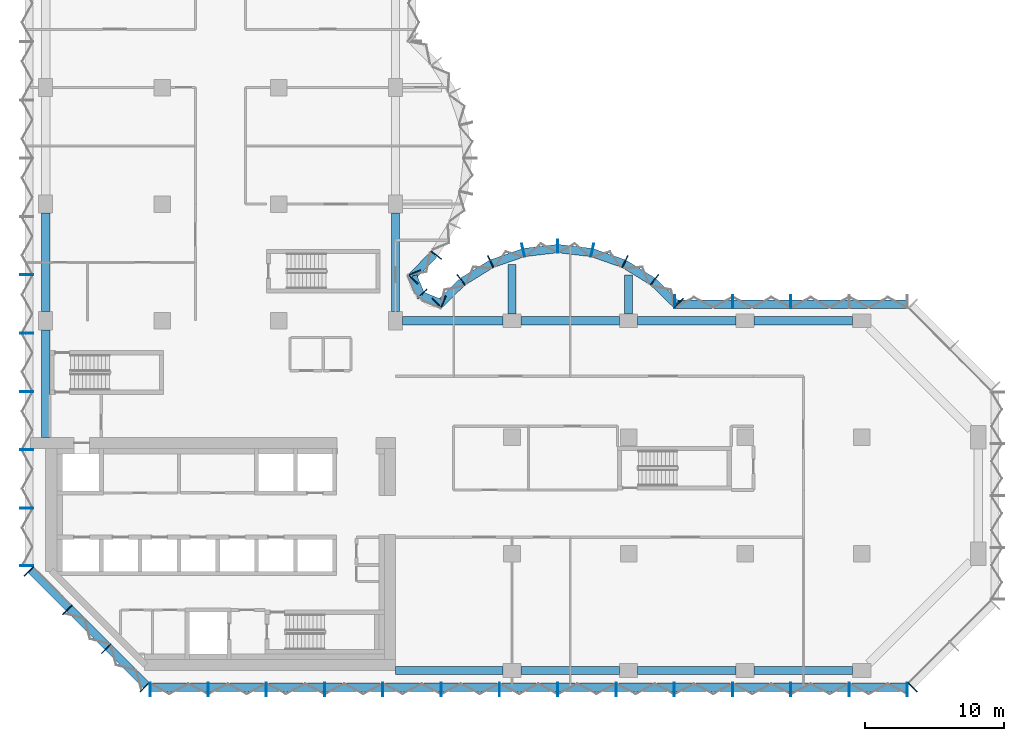
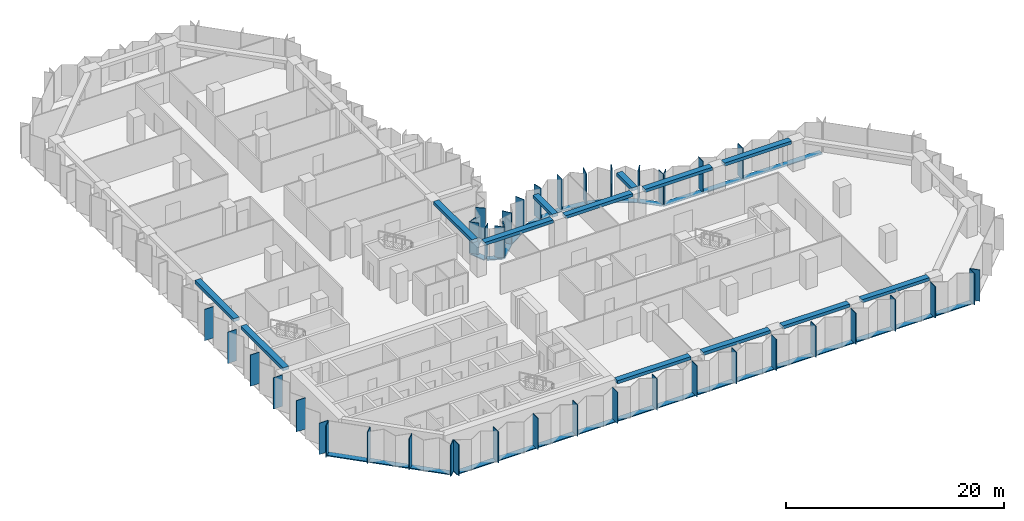
# One storey, part 2 of 13: 56 members, 13 beams, 8 elements without a shape of their own.
"""IFC4 building model written with IfcOpenShell, lengths in metres."""

import ifcopenshell
import ifcopenshell.guid

model = None  # the IFC model being written
_history = None  # IfcOwnerHistory: only IFC2X3 demands one
_inside = {}  # id of a spatial element -> (the spatial element, [elements in it])
_under = {}  # id of a project, library or spatial element -> (it, [spatial elements below it])
_declared = {}  # id of a project -> (the project, [libraries it declares])
_typed = {}  # id of a type object -> (the type object, [elements of that type])
_made_of = {}  # id of a material, layer set ... -> (it, [elements and type objects made of it])


def new_model(schema):
    """Start an empty IFC model of exactly this schema.

    Asked for "IFC4X3", IfcOpenShell would pick the latest addendum, in which some entities
    have other attributes; the version numbers below select the first issue.
    IFC2X3 requires an IfcOwnerHistory on every rooted entity: one is made here for all.
    """
    global model, _history
    if schema == "IFC4X3":
        model = ifcopenshell.file(schema_version=(4, 3, 0, 0))
    else:
        model = ifcopenshell.file(schema=schema)
    _inside.clear()
    _under.clear()
    _declared.clear()
    _typed.clear()
    _made_of.clear()
    _history = None
    if model.schema == "IFC2X3":
        org = make("IfcOrganization", Name="unknown")
        user = make(
            "IfcPersonAndOrganization",
            ThePerson=make("IfcPerson", FamilyName="unknown"),
            TheOrganization=org,
        )
        app = make(
            "IfcApplication",
            ApplicationDeveloper=org,
            Version="unknown",
            ApplicationFullName="unknown",
            ApplicationIdentifier="unknown",
        )
        _history = make(
            "IfcOwnerHistory",
            OwningUser=user,
            OwningApplication=app,
            ChangeAction="ADDED",
            CreationDate=0,
        )
    return model


def make(cls, **values):
    """One entity of the class cls with the attributes given. An attribute that is None is left unset."""
    return model.create_entity(
        cls, **{name: value for name, value in values.items() if value is not None}
    )


def rooted(cls, **values):
    """An entity with a GlobalId (a new one), such as an element, a storey or a relation."""
    return make(cls, GlobalId=ifcopenshell.guid.new(), OwnerHistory=_history, **values)


def si_unit(unit_type, name, prefix=None):
    """IfcSIUnit, for example si_unit("LENGTHUNIT", "METRE", prefix="MILLI")."""
    return make("IfcSIUnit", UnitType=unit_type, Prefix=prefix, Name=name)


def assignment(units):
    """IfcUnitAssignment: the units of a project."""
    return None if units is None else make("IfcUnitAssignment", Units=units)


def point(xyz):
    """IfcCartesianPoint."""
    return None if xyz is None else make("IfcCartesianPoint", Coordinates=xyz)


def direction(xyz):
    """IfcDirection."""
    return None if xyz is None else make("IfcDirection", DirectionRatios=xyz)


def frame(location, z_axis=None, x_axis=None):
    """IfcAxis2Placement3D, a coordinate frame: its origin and axes. An axis left out is left unset."""
    return make(
        "IfcAxis2Placement3D",
        Location=point(location),
        Axis=direction(z_axis),
        RefDirection=direction(x_axis),
    )


def frame_2d(location, x_axis=None):
    """IfcAxis2Placement2D, a coordinate frame in the plane: its origin and x axis."""
    return make(
        "IfcAxis2Placement2D", Location=point(location), RefDirection=direction(x_axis)
    )


def origin():
    """The frame at (0, 0, 0) with its axes left unset."""
    return frame((0.0, 0.0, 0.0))


def origin_2d():
    """The frame at (0, 0) in the plane with its x axis left unset."""
    return frame_2d((0.0, 0.0))


def place(relative_to, where):
    """IfcLocalPlacement: puts the frame where relative to a parent placement (None: the world)."""
    return make(
        "IfcLocalPlacement", PlacementRelTo=relative_to, RelativePlacement=where
    )


def context(
    kind, dimensions, precision=None, world=None, true_north=None, identifier=None
):
    """IfcGeometricRepresentationContext, for example the 3D "Model" context."""
    return make(
        "IfcGeometricRepresentationContext",
        ContextIdentifier=identifier,
        ContextType=kind,
        CoordinateSpaceDimension=dimensions,
        Precision=precision,
        WorldCoordinateSystem=world,
        TrueNorth=true_north,
    )


def subcontext(parent, identifier, kind, view, scale=None):
    """IfcGeometricRepresentationSubContext, for example "Body" below "Model"."""
    return make(
        "IfcGeometricRepresentationSubContext",
        ContextIdentifier=identifier,
        ContextType=kind,
        ParentContext=parent,
        TargetScale=scale,
        TargetView=view,
    )


def project(units=None, contexts=None):
    """IfcProject with its units and contexts."""
    return rooted(
        "IfcProject",
        Name="project",
        RepresentationContexts=contexts,
        UnitsInContext=assignment(units),
    )


def spatial(cls, under=None, at=None, **own):
    """A site, building, storey or space (cls), placed at a placement, below another one or the project."""
    s = rooted(cls, ObjectPlacement=at, **own)
    if under is not None:
        _under.setdefault(under.id(), (under, []))[1].append(s)
    return s


def profile(cls, at=None, kind="AREA", **sizes):
    """A parametric profile (cls). Its sizes go by their IFC names, for example OverallWidth=200.0."""
    return make(cls, ProfileType=kind, Position=at, **sizes)


def rectangle(**sizes):
    """IfcRectangleProfileDef."""
    return profile("IfcRectangleProfileDef", **sizes)


def extrude(swept, where, along, depth):
    """IfcExtrudedAreaSolid: the profile swept, set in the frame where, extruded along a direction by depth."""
    return make(
        "IfcExtrudedAreaSolid",
        SweptArea=swept,
        Position=where,
        ExtrudedDirection=direction(along),
        Depth=depth,
    )


def shape(context_of_items, identifier, shape_type, items):
    """IfcShapeRepresentation: the items that make up one representation, for example the "Body"."""
    return make(
        "IfcShapeRepresentation",
        ContextOfItems=context_of_items,
        RepresentationIdentifier=identifier,
        RepresentationType=shape_type,
        Items=items,
    )


def material(Name=None, Category=None):
    """IfcMaterial."""
    return make("IfcMaterial", Name=Name, Category=Category)


def material_profile(
    of_material, cross_section, Name=None, Category=None, Priority=None
):
    """IfcMaterialProfile: a cross section and its material."""
    return make(
        "IfcMaterialProfile",
        Name=Name,
        Material=of_material,
        Profile=cross_section,
        Priority=Priority,
        Category=Category,
    )


def profile_set(profiles, Name=None, composite=None):
    """IfcMaterialProfileSet."""
    return make(
        "IfcMaterialProfileSet",
        Name=Name,
        MaterialProfiles=profiles,
        CompositeProfile=composite,
    )


def made_of(thing, what):
    """Note that an element or type object is made of a material, layer set ...; save() writes the relation."""
    if what is not None:
        _made_of.setdefault(what.id(), (what, []))[1].append(thing)
    return thing


def type_object(cls, material=None, **own):
    """A type object (cls), such as IfcWallType, which elements share."""
    return made_of(rooted(cls, **own), material)


def element(
    cls,
    number,
    at=None,
    inside=None,
    cuts=None,
    type_object=None,
    material=None,
    context=None,
    identifier="Body",
    shape_type=None,
    held_by="IfcProductDefinitionShape",
    body=None,
    shapes=None,
    **own,
):
    """One element of the class cls, such as IfcWall. Its Tag is "e" and its number.

    at: its placement. inside: the storey or other place that contains it. cuts: it is an
    opening in that element (IfcRelVoidsElement). A single representation is given by context,
    identifier, shape_type and body (its items); several are given by shapes. held_by: the class
    of the entity that holds the representations. save() writes the other relations.
    """
    e = rooted(cls, Tag="e%d" % number, ObjectPlacement=at, **own)
    if body is not None:
        shapes = [shape(context, identifier, shape_type, body)]
    if shapes is not None:
        e.Representation = make(held_by, Representations=shapes)
    if inside is not None:
        _inside.setdefault(inside.id(), (inside, []))[1].append(e)
    if cuts is not None:
        rooted(
            "IfcRelVoidsElement", RelatingBuildingElement=cuts, RelatedOpeningElement=e
        )
    if type_object is not None:
        _typed.setdefault(type_object.id(), (type_object, []))[1].append(e)
    return made_of(e, material)


def aggregate(whole, parts):
    """IfcRelAggregates: a whole, such as a stair, and the parts it consists of."""
    return rooted("IfcRelAggregates", RelatingObject=whole, RelatedObjects=parts)


def save(model, path):
    """Write the relations noted so far, then the file.

    IfcRelAggregates (storeys below a building ...), IfcRelContainedInSpatialStructure (elements
    in a storey), IfcRelDefinesByType, IfcRelAssociatesMaterial and IfcRelDeclares: one each for
    every whole, place, type object, material and project.
    """
    for whole, parts in _under.values():
        aggregate(whole, parts)
    for where, things in _inside.values():
        rooted(
            "IfcRelContainedInSpatialStructure",
            RelatedElements=things,
            RelatingStructure=where,
        )
    for kind, things in _typed.values():
        rooted("IfcRelDefinesByType", RelatedObjects=things, RelatingType=kind)
    for what, things in _made_of.values():
        rooted("IfcRelAssociatesMaterial", RelatedObjects=things, RelatingMaterial=what)
    for by, libraries in _declared.values():
        rooted("IfcRelDeclares", RelatingContext=by, RelatedDefinitions=libraries)
    model.write(path)


model = new_model("IFC4")

# Units and contexts
model_context = context("Model", 3, precision=1e-05, world=origin(), true_north=direction((0.0, 1.0)))
body_context = subcontext(model_context, "Body", "Model", "MODEL_VIEW")
ifc_project = project(units=[si_unit("LENGTHUNIT", "METRE"), si_unit("AREAUNIT", "SQUARE_METRE"), si_unit("VOLUMEUNIT", "CUBIC_METRE"), si_unit("PLANEANGLEUNIT", "RADIAN"), si_unit("MASSUNIT", "GRAM", prefix="KILO")], contexts=[model_context])

# Site, building, storey
site_placement = place(None, origin())
site = spatial("IfcSite", under=ifc_project, at=site_placement, CompositionType="ELEMENT")
building_placement = place(site_placement, origin())
building = spatial("IfcBuilding", under=site, at=building_placement, Name="Brevane Broadcast Tower", CompositionType="ELEMENT")
storey_placement = place(building_placement, frame((0.0, 0.0, 98.89990234375)))
storey = spatial("IfcBuildingStorey", under=building, at=storey_placement, Name="L23", CompositionType="ELEMENT", Elevation=98.89990234375)

# Curtain wall, members
ifc_material_1 = material(Name="Aluminium 6063-T6 bronze anodised", Category="aluminium")
curtain_wall_type = type_object("IfcCurtainWallType", Name="CW-1 curtain wall", PredefinedType="NOTDEFINED", material=ifc_material_1)
curtain_wall_1_placement = place(storey_placement, origin())
curtain_wall_1 = element("IfcCurtainWall", 1, at=curtain_wall_1_placement, inside=storey, type_object=curtain_wall_type, Name="CW-1 typical tilted unit L23 south face", PredefinedType="NOTDEFINED")
ifc_material_profile_1 = material_profile(ifc_material_1, rectangle(XDim=0.949951171875, YDim=0.070068359375, at=origin_2d()), Name="RECT 70x950")
ifc_profile_set_1 = profile_set([ifc_material_profile_1], Name="Aluminium 6063-T6 bronze anodised")
member_type_1 = type_object("IfcMemberType", Name="CW-1 mullion 70x950", PredefinedType="MULLION", material=ifc_profile_set_1)
member_1_placement = place(storey_placement, frame((7.534912109375, -1.375, -0.14990234375), z_axis=(0.0, 0.0, 1.0), x_axis=(0.0, 1.0, 0.0)))
member_1 = element("IfcMember", 2, at=member_1_placement, type_object=member_type_1, Name="CW-1 mullion", PredefinedType="MULLION", context=body_context, shape_type="SweptSolid", body=[
    extrude(rectangle(XDim=0.949951171875, YDim=0.070068359375, at=origin_2d()), origin(), (0.0, 0.0, 1.0), 3.5),
])
member_2_placement = place(storey_placement, frame((11.699951171875, -1.375, -0.14990234375), z_axis=(0.0, 0.0, 1.0), x_axis=(0.0, 1.0, 0.0)))
member_2 = element("IfcMember", 3, at=member_2_placement, type_object=member_type_1, Name="CW-1 mullion", PredefinedType="MULLION", context=body_context, shape_type="SweptSolid", body=[
    extrude(rectangle(XDim=0.949951171875, YDim=0.070068359375, at=origin_2d()), origin(), (0.0, 0.0, 1.0), 3.5),
])
member_3_placement = place(storey_placement, frame((15.89990234375, -1.375, -0.14990234375), z_axis=(0.0, 0.0, 1.0), x_axis=(0.0, 1.0, 0.0)))
member_3 = element("IfcMember", 4, at=member_3_placement, type_object=member_type_1, Name="CW-1 mullion", PredefinedType="MULLION", context=body_context, shape_type="SweptSolid", body=[
    extrude(rectangle(XDim=0.949951171875, YDim=0.070068359375, at=origin_2d()), origin(), (0.0, 0.0, 1.0), 3.5),
])
member_4_placement = place(storey_placement, frame((20.10009765625, -1.375, -0.14990234375), z_axis=(0.0, 0.0, 1.0), x_axis=(0.0, 1.0, 0.0)))
member_4 = element("IfcMember", 5, at=member_4_placement, type_object=member_type_1, Name="CW-1 mullion", PredefinedType="MULLION", context=body_context, shape_type="SweptSolid", body=[
    extrude(rectangle(XDim=0.949951171875, YDim=0.070068359375, at=origin_2d()), origin(), (0.0, 0.0, 1.0), 3.5),
])
member_5_placement = place(storey_placement, frame((24.300048828125, -1.375, -0.14990234375), z_axis=(0.0, 0.0, 1.0), x_axis=(0.0, 1.0, 0.0)))
member_5 = element("IfcMember", 6, at=member_5_placement, type_object=member_type_1, Name="CW-1 mullion", PredefinedType="MULLION", context=body_context, shape_type="SweptSolid", body=[
    extrude(rectangle(XDim=0.949951171875, YDim=0.070068359375, at=origin_2d()), origin(), (0.0, 0.0, 1.0), 3.5),
])
member_6_placement = place(storey_placement, frame((28.5, -1.375, -0.14990234375), z_axis=(0.0, 0.0, 1.0), x_axis=(0.0, 1.0, 0.0)))
member_6 = element("IfcMember", 7, at=member_6_placement, type_object=member_type_1, Name="CW-1 mullion", PredefinedType="MULLION", context=body_context, shape_type="SweptSolid", body=[
    extrude(rectangle(XDim=0.949951171875, YDim=0.070068359375, at=origin_2d()), origin(), (0.0, 0.0, 1.0), 3.5),
])
member_7_placement = place(storey_placement, frame((32.699951171875, -1.375, -0.14990234375), z_axis=(0.0, 0.0, 1.0), x_axis=(0.0, 1.0, 0.0)))
member_7 = element("IfcMember", 8, at=member_7_placement, type_object=member_type_1, Name="CW-1 mullion", PredefinedType="MULLION", context=body_context, shape_type="SweptSolid", body=[
    extrude(rectangle(XDim=0.949951171875, YDim=0.070068359375, at=origin_2d()), origin(), (0.0, 0.0, 1.0), 3.5),
])
member_8_placement = place(storey_placement, frame((36.89990234375, -1.375, -0.14990234375), z_axis=(0.0, 0.0, 1.0), x_axis=(0.0, 1.0, 0.0)))
member_8 = element("IfcMember", 9, at=member_8_placement, type_object=member_type_1, Name="CW-1 mullion", PredefinedType="MULLION", context=body_context, shape_type="SweptSolid", body=[
    extrude(rectangle(XDim=0.949951171875, YDim=0.070068359375, at=origin_2d()), origin(), (0.0, 0.0, 1.0), 3.5),
])
member_9_placement = place(storey_placement, frame((41.10009765625, -1.375, -0.14990234375), z_axis=(0.0, 0.0, 1.0), x_axis=(0.0, 1.0, 0.0)))
member_9 = element("IfcMember", 10, at=member_9_placement, type_object=member_type_1, Name="CW-1 mullion", PredefinedType="MULLION", context=body_context, shape_type="SweptSolid", body=[
    extrude(rectangle(XDim=0.949951171875, YDim=0.070068359375, at=origin_2d()), origin(), (0.0, 0.0, 1.0), 3.5),
])
member_10_placement = place(storey_placement, frame((45.300048828125, -1.375, -0.14990234375), z_axis=(0.0, 0.0, 1.0), x_axis=(0.0, 1.0, 0.0)))
member_10 = element("IfcMember", 11, at=member_10_placement, type_object=member_type_1, Name="CW-1 mullion", PredefinedType="MULLION", context=body_context, shape_type="SweptSolid", body=[
    extrude(rectangle(XDim=0.949951171875, YDim=0.070068359375, at=origin_2d()), origin(), (0.0, 0.0, 1.0), 3.5),
])
member_11_placement = place(storey_placement, frame((49.5, -1.375, -0.14990234375), z_axis=(0.0, 0.0, 1.0), x_axis=(0.0, 1.0, 0.0)))
member_11 = element("IfcMember", 12, at=member_11_placement, type_object=member_type_1, Name="CW-1 mullion", PredefinedType="MULLION", context=body_context, shape_type="SweptSolid", body=[
    extrude(rectangle(XDim=0.949951171875, YDim=0.070068359375, at=origin_2d()), origin(), (0.0, 0.0, 1.0), 3.5),
])
member_12_placement = place(storey_placement, frame((53.699951171875, -1.375, -0.14990234375), z_axis=(0.0, 0.0, 1.0), x_axis=(0.0, 1.0, 0.0)))
member_12 = element("IfcMember", 13, at=member_12_placement, type_object=member_type_1, Name="CW-1 mullion", PredefinedType="MULLION", context=body_context, shape_type="SweptSolid", body=[
    extrude(rectangle(XDim=0.949951171875, YDim=0.070068359375, at=origin_2d()), origin(), (0.0, 0.0, 1.0), 3.5),
])
member_13_placement = place(storey_placement, frame((57.89990234375, -1.375, -0.14990234375), z_axis=(0.0, 0.0, 1.0), x_axis=(0.0, 1.0, 0.0)))
member_13 = element("IfcMember", 14, at=member_13_placement, type_object=member_type_1, Name="CW-1 mullion", PredefinedType="MULLION", context=body_context, shape_type="SweptSolid", body=[
    extrude(rectangle(XDim=0.949951171875, YDim=0.070068359375, at=origin_2d()), origin(), (0.0, 0.0, 1.0), 3.5),
])
member_14_placement = place(storey_placement, frame((62.06494140625, -1.375, -0.14990234375), z_axis=(0.0, 0.0, 1.0), x_axis=(0.0, 1.0, 0.0)))
member_14 = element("IfcMember", 15, at=member_14_placement, type_object=member_type_1, Name="CW-1 mullion", PredefinedType="MULLION", context=body_context, shape_type="SweptSolid", body=[
    extrude(rectangle(XDim=0.949951171875, YDim=0.070068359375, at=origin_2d()), origin(), (0.0, 0.0, 1.0), 3.5),
])

# Curtain wall, member
curtain_wall_2_placement = place(storey_placement, origin())
curtain_wall_2 = element("IfcCurtainWall", 16, at=curtain_wall_2_placement, inside=storey, type_object=curtain_wall_type, Name="CW-1 typical tilted unit L23 south-east chamfer", PredefinedType="NOTDEFINED")
member_15_placement = place(storey_placement, frame((62.460693359375, -1.211181640625, -0.14990234375), z_axis=(0.0, 0.0, 1.0), x_axis=(-0.707106781187, 0.707106781187, 0.0)))
member_15 = element("IfcMember", 17, at=member_15_placement, type_object=member_type_1, Name="CW-1 mullion", PredefinedType="MULLION", context=body_context, shape_type="SweptSolid", body=[
    extrude(rectangle(XDim=0.949951171875, YDim=0.070068359375, at=origin_2d()), origin(), (0.0, 0.0, 1.0), 3.5),
])
aggregate(curtain_wall_2, [member_15])

# Curtain wall, members
curtain_wall_3_placement = place(storey_placement, origin())
curtain_wall_3 = element("IfcCurtainWall", 18, at=curtain_wall_3_placement, inside=storey, type_object=curtain_wall_type, Name="CW-1 typical tilted unit L23 east arm north face", PredefinedType="NOTDEFINED")
member_16_placement = place(storey_placement, frame((53.699951171875, 26.574951171875, -0.14990234375), z_axis=(0.0, 0.0, 1.0), x_axis=(0.0, -1.0, 0.0)))
member_16 = element("IfcMember", 19, at=member_16_placement, type_object=member_type_1, Name="CW-1 mullion", PredefinedType="MULLION", context=body_context, shape_type="SweptSolid", body=[
    extrude(rectangle(XDim=0.949951171875, YDim=0.070068359375, at=origin_2d()), origin(), (0.0, 0.0, 1.0), 3.5),
])
member_17_placement = place(storey_placement, frame((49.5, 26.574951171875, -0.14990234375), z_axis=(0.0, 0.0, 1.0), x_axis=(0.0, -1.0, 0.0)))
member_17 = element("IfcMember", 20, at=member_17_placement, type_object=member_type_1, Name="CW-1 mullion", PredefinedType="MULLION", context=body_context, shape_type="SweptSolid", body=[
    extrude(rectangle(XDim=0.949951171875, YDim=0.070068359375, at=origin_2d()), origin(), (0.0, 0.0, 1.0), 3.5),
])
member_18_placement = place(storey_placement, frame((45.3349609375, 26.574951171875, -0.14990234375), z_axis=(0.0, 0.0, 1.0), x_axis=(0.0, -1.0, 0.0)))
member_18 = element("IfcMember", 21, at=member_18_placement, type_object=member_type_1, Name="CW-1 mullion", PredefinedType="MULLION", context=body_context, shape_type="SweptSolid", body=[
    extrude(rectangle(XDim=0.949951171875, YDim=0.070068359375, at=origin_2d()), origin(), (0.0, 0.0, 1.0), 3.5),
])

curtain_wall_4_placement = place(storey_placement, origin())
curtain_wall_4 = element("IfcCurtainWall", 22, at=curtain_wall_4_placement, inside=storey, type_object=curtain_wall_type, Name="CW-1 typical tilted unit L23 east bow", PredefinedType="NOTDEFINED")
member_19_placement = place(storey_placement, frame((45.60595703125, 26.465087890625, -0.14990234375), z_axis=(0.0, 0.0, 1.0), x_axis=(-0.696811941702, -0.717253872699, 0.0)))
member_19 = element("IfcMember", 23, at=member_19_placement, type_object=member_type_1, Name="CW-1 mullion", PredefinedType="MULLION", context=body_context, shape_type="SweptSolid", body=[
    extrude(rectangle(XDim=0.949951171875, YDim=0.070068359375, at=origin_2d()), origin(), (0.0, 0.0, 1.0), 3.5),
])
member_20_placement = place(storey_placement, frame((43.8720703125, 28.1455078125, -0.14990234375), z_axis=(0.0, 0.0, 1.0), x_axis=(-0.614769738617, -0.788706642853, 0.0)))
member_20 = element("IfcMember", 24, at=member_20_placement, type_object=member_type_1, Name="CW-1 mullion", PredefinedType="MULLION", context=body_context, shape_type="SweptSolid", body=[
    extrude(rectangle(XDim=0.949951171875, YDim=0.070068359375, at=origin_2d()), origin(), (0.0, 0.0, 1.0), 3.5),
])
member_21_placement = place(storey_placement, frame((41.746826171875, 29.4580078125, -0.14990234375), z_axis=(0.0, 0.0, 1.0), x_axis=(-0.429933601163, -0.902860508933, 0.0)))
member_21 = element("IfcMember", 25, at=member_21_placement, type_object=member_type_1, Name="CW-1 mullion", PredefinedType="MULLION", context=body_context, shape_type="SweptSolid", body=[
    extrude(rectangle(XDim=0.949951171875, YDim=0.070068359375, at=origin_2d()), origin(), (0.0, 0.0, 1.0), 3.5),
])
member_22_placement = place(storey_placement, frame((39.38818359375, 30.28076171875, -0.14990234375), z_axis=(0.0, 0.0, 1.0), x_axis=(-0.224806482215, -0.974403430594, 0.0)))
member_22 = element("IfcMember", 26, at=member_22_placement, type_object=member_type_1, Name="CW-1 mullion", PredefinedType="MULLION", context=body_context, shape_type="SweptSolid", body=[
    extrude(rectangle(XDim=0.949951171875, YDim=0.070068359375, at=origin_2d()), origin(), (0.0, 0.0, 1.0), 3.5),
])
member_23_placement = place(storey_placement, frame((36.89990234375, 30.574951171875, -0.14990234375), z_axis=(0.0, 0.0, 1.0), x_axis=(0.0, -1.0, 0.0)))
member_23 = element("IfcMember", 27, at=member_23_placement, type_object=member_type_1, Name="CW-1 mullion", PredefinedType="MULLION", context=body_context, shape_type="SweptSolid", body=[
    extrude(rectangle(XDim=0.949951171875, YDim=0.070068359375, at=origin_2d()), origin(), (0.0, 0.0, 1.0), 3.5),
])
member_24_placement = place(storey_placement, frame((34.411865234375, 30.28076171875, -0.14990234375), z_axis=(0.0, 0.0, 1.0), x_axis=(0.224806482215, -0.974403430594, 0.0)))
member_24 = element("IfcMember", 28, at=member_24_placement, type_object=member_type_1, Name="CW-1 mullion", PredefinedType="MULLION", context=body_context, shape_type="SweptSolid", body=[
    extrude(rectangle(XDim=0.949951171875, YDim=0.070068359375, at=origin_2d()), origin(), (0.0, 0.0, 1.0), 3.5),
])
member_25_placement = place(storey_placement, frame((32.05322265625, 29.4580078125, -0.14990234375), z_axis=(0.0, 0.0, 1.0), x_axis=(0.429933601163, -0.902860508933, 0.0)))
member_25 = element("IfcMember", 29, at=member_25_placement, type_object=member_type_1, Name="CW-1 mullion", PredefinedType="MULLION", context=body_context, shape_type="SweptSolid", body=[
    extrude(rectangle(XDim=0.949951171875, YDim=0.070068359375, at=origin_2d()), origin(), (0.0, 0.0, 1.0), 3.5),
])
member_26_placement = place(storey_placement, frame((29.927978515625, 28.1455078125, -0.14990234375), z_axis=(0.0, 0.0, 1.0), x_axis=(0.614769738617, -0.788706642853, 0.0)))
member_26 = element("IfcMember", 30, at=member_26_placement, type_object=member_type_1, Name="CW-1 mullion", PredefinedType="MULLION", context=body_context, shape_type="SweptSolid", body=[
    extrude(rectangle(XDim=0.949951171875, YDim=0.070068359375, at=origin_2d()), origin(), (0.0, 0.0, 1.0), 3.5),
])
member_27_placement = place(storey_placement, frame((28.194091796875, 26.465087890625, -0.14990234375), z_axis=(0.0, 0.0, 1.0), x_axis=(0.696811941702, -0.717253872699, 0.0)))
member_27 = element("IfcMember", 31, at=member_27_placement, type_object=member_type_1, Name="CW-1 mullion", PredefinedType="MULLION", context=body_context, shape_type="SweptSolid", body=[
    extrude(rectangle(XDim=0.949951171875, YDim=0.070068359375, at=origin_2d()), origin(), (0.0, 0.0, 1.0), 3.5),
])

curtain_wall_5_placement = place(storey_placement, origin())
curtain_wall_5 = element("IfcCurtainWall", 32, at=curtain_wall_5_placement, inside=storey, type_object=curtain_wall_type, Name="CW-1 typical tilted unit L23 inner corner", PredefinedType="NOTDEFINED")
member_28_placement = place(storey_placement, frame((28.6494140625, 26.55224609375, -0.14990234375), z_axis=(0.0, 0.0, 1.0), x_axis=(-0.382683612978, -0.923879457699, 0.0)))
member_28 = element("IfcMember", 33, at=member_28_placement, type_object=member_type_1, Name="CW-1 mullion", PredefinedType="MULLION", context=body_context, shape_type="SweptSolid", body=[
    extrude(rectangle(XDim=0.949951171875, YDim=0.070068359375, at=origin_2d()), origin(), (0.0, 0.0, 1.0), 3.5),
])
member_29_placement = place(storey_placement, frame((27.138916015625, 27.138916015625, -0.14990234375), z_axis=(0.0, 0.0, 1.0), x_axis=(-0.707106781187, -0.707106781187, 0.0)))
member_29 = element("IfcMember", 34, at=member_29_placement, type_object=member_type_1, Name="CW-1 mullion", PredefinedType="MULLION", context=body_context, shape_type="SweptSolid", body=[
    extrude(rectangle(XDim=0.949951171875, YDim=0.070068359375, at=origin_2d()), origin(), (0.0, 0.0, 1.0), 3.5),
])
member_30_placement = place(storey_placement, frame((26.55224609375, 28.6494140625, -0.14990234375), z_axis=(0.0, 0.0, 1.0), x_axis=(-0.923879457699, -0.382683612978, 0.0)))
member_30 = element("IfcMember", 35, at=member_30_placement, type_object=member_type_1, Name="CW-1 mullion", PredefinedType="MULLION", context=body_context, shape_type="SweptSolid", body=[
    extrude(rectangle(XDim=0.949951171875, YDim=0.070068359375, at=origin_2d()), origin(), (0.0, 0.0, 1.0), 3.5),
])

curtain_wall_6_placement = place(storey_placement, origin())
curtain_wall_6 = element("IfcCurtainWall", 36, at=curtain_wall_6_placement, inside=storey, type_object=curtain_wall_type, Name="CW-1 typical tilted unit L23 north bow", PredefinedType="NOTDEFINED")
member_31_placement = place(storey_placement, frame((26.465087890625, 28.194091796875, -0.14990234375), z_axis=(0.0, 0.0, 1.0), x_axis=(-0.717253872699, 0.696811941702, 0.0)))
member_31 = element("IfcMember", 37, at=member_31_placement, type_object=member_type_1, Name="CW-1 mullion", PredefinedType="MULLION", context=body_context, shape_type="SweptSolid", body=[
    extrude(rectangle(XDim=0.949951171875, YDim=0.070068359375, at=origin_2d()), origin(), (0.0, 0.0, 1.0), 3.5),
])
member_32_placement = place(storey_placement, frame((28.1455078125, 29.927978515625, -0.14990234375), z_axis=(0.0, 0.0, 1.0), x_axis=(-0.788706642853, 0.614769738617, 0.0)))
member_32 = element("IfcMember", 38, at=member_32_placement, type_object=member_type_1, Name="CW-1 mullion", PredefinedType="MULLION", context=body_context, shape_type="SweptSolid", body=[
    extrude(rectangle(XDim=0.949951171875, YDim=0.070068359375, at=origin_2d()), origin(), (0.0, 0.0, 1.0), 3.5),
])

curtain_wall_7_placement = place(storey_placement, origin())
curtain_wall_7 = element("IfcCurtainWall", 39, at=curtain_wall_7_placement, inside=storey, type_object=curtain_wall_type, Name="CW-1 typical tilted unit L23 west face", PredefinedType="NOTDEFINED")
member_33_placement = place(storey_placement, frame((-1.375, 28.5, -0.14990234375), z_axis=(0.0, 0.0, 1.0), x_axis=(1.0, 0.0, 0.0)))
member_33 = element("IfcMember", 40, at=member_33_placement, type_object=member_type_1, Name="CW-1 mullion", PredefinedType="MULLION", context=body_context, shape_type="SweptSolid", body=[
    extrude(rectangle(XDim=0.949951171875, YDim=0.070068359375, at=origin_2d()), origin(), (0.0, 0.0, 1.0), 3.5),
])
member_34_placement = place(storey_placement, frame((-1.375, 24.300048828125, -0.14990234375), z_axis=(0.0, 0.0, 1.0), x_axis=(1.0, 0.0, 0.0)))
member_34 = element("IfcMember", 41, at=member_34_placement, type_object=member_type_1, Name="CW-1 mullion", PredefinedType="MULLION", context=body_context, shape_type="SweptSolid", body=[
    extrude(rectangle(XDim=0.949951171875, YDim=0.070068359375, at=origin_2d()), origin(), (0.0, 0.0, 1.0), 3.5),
])
member_35_placement = place(storey_placement, frame((-1.375, 20.10009765625, -0.14990234375), z_axis=(0.0, 0.0, 1.0), x_axis=(1.0, 0.0, 0.0)))
member_35 = element("IfcMember", 42, at=member_35_placement, type_object=member_type_1, Name="CW-1 mullion", PredefinedType="MULLION", context=body_context, shape_type="SweptSolid", body=[
    extrude(rectangle(XDim=0.949951171875, YDim=0.070068359375, at=origin_2d()), origin(), (0.0, 0.0, 1.0), 3.5),
])
member_36_placement = place(storey_placement, frame((-1.375, 15.89990234375, -0.14990234375), z_axis=(0.0, 0.0, 1.0), x_axis=(1.0, 0.0, 0.0)))
member_36 = element("IfcMember", 43, at=member_36_placement, type_object=member_type_1, Name="CW-1 mullion", PredefinedType="MULLION", context=body_context, shape_type="SweptSolid", body=[
    extrude(rectangle(XDim=0.949951171875, YDim=0.070068359375, at=origin_2d()), origin(), (0.0, 0.0, 1.0), 3.5),
])
member_37_placement = place(storey_placement, frame((-1.375, 11.699951171875, -0.14990234375), z_axis=(0.0, 0.0, 1.0), x_axis=(1.0, 0.0, 0.0)))
member_37 = element("IfcMember", 44, at=member_37_placement, type_object=member_type_1, Name="CW-1 mullion", PredefinedType="MULLION", context=body_context, shape_type="SweptSolid", body=[
    extrude(rectangle(XDim=0.949951171875, YDim=0.070068359375, at=origin_2d()), origin(), (0.0, 0.0, 1.0), 3.5),
])
member_38_placement = place(storey_placement, frame((-1.375, 7.534912109375, -0.14990234375), z_axis=(0.0, 0.0, 1.0), x_axis=(1.0, 0.0, 0.0)))
member_38 = element("IfcMember", 45, at=member_38_placement, type_object=member_type_1, Name="CW-1 mullion", PredefinedType="MULLION", context=body_context, shape_type="SweptSolid", body=[
    extrude(rectangle(XDim=0.949951171875, YDim=0.070068359375, at=origin_2d()), origin(), (0.0, 0.0, 1.0), 3.5),
])
aggregate(curtain_wall_7, [member_33, member_34, member_35, member_36, member_37, member_38])

curtain_wall_8_placement = place(storey_placement, origin())
curtain_wall_8 = element("IfcCurtainWall", 46, at=curtain_wall_8_placement, inside=storey, type_object=curtain_wall_type, Name="CW-1 typical tilted unit L23 south-west chamfer", PredefinedType="NOTDEFINED")
member_39_placement = place(storey_placement, frame((-1.211181640625, 7.139404296875, -0.14990234375), z_axis=(0.0, 0.0, 1.0), x_axis=(0.707106781187, 0.707106781187, 0.0)))
member_39 = element("IfcMember", 47, at=member_39_placement, type_object=member_type_1, Name="CW-1 mullion", PredefinedType="MULLION", context=body_context, shape_type="SweptSolid", body=[
    extrude(rectangle(XDim=0.949951171875, YDim=0.070068359375, at=origin_2d()), origin(), (0.0, 0.0, 1.0), 3.5),
])
member_40_placement = place(storey_placement, frame((1.564208984375, 4.364013671875, -0.14990234375), z_axis=(0.0, 0.0, 1.0), x_axis=(0.707106781187, 0.707106781187, 0.0)))
member_40 = element("IfcMember", 48, at=member_40_placement, type_object=member_type_1, Name="CW-1 mullion", PredefinedType="MULLION", context=body_context, shape_type="SweptSolid", body=[
    extrude(rectangle(XDim=0.949951171875, YDim=0.070068359375, at=origin_2d()), origin(), (0.0, 0.0, 1.0), 3.5),
])
member_41_placement = place(storey_placement, frame((4.364013671875, 1.564208984375, -0.14990234375), z_axis=(0.0, 0.0, 1.0), x_axis=(0.707106781187, 0.707106781187, 0.0)))
member_41 = element("IfcMember", 49, at=member_41_placement, type_object=member_type_1, Name="CW-1 mullion", PredefinedType="MULLION", context=body_context, shape_type="SweptSolid", body=[
    extrude(rectangle(XDim=0.949951171875, YDim=0.070068359375, at=origin_2d()), origin(), (0.0, 0.0, 1.0), 3.5),
])
member_42_placement = place(storey_placement, frame((7.139404296875, -1.211181640625, -0.14990234375), z_axis=(0.0, 0.0, 1.0), x_axis=(0.707106781187, 0.707106781187, 0.0)))
member_42 = element("IfcMember", 50, at=member_42_placement, type_object=member_type_1, Name="CW-1 mullion", PredefinedType="MULLION", context=body_context, shape_type="SweptSolid", body=[
    extrude(rectangle(XDim=0.949951171875, YDim=0.070068359375, at=origin_2d()), origin(), (0.0, 0.0, 1.0), 3.5),
])

# Member
ifc_material_profile_2 = material_profile(ifc_material_1, rectangle(XDim=0.60009765625, YDim=0.10009765625, at=origin_2d()), Name="RECT 100x600")
ifc_profile_set_2 = profile_set([ifc_material_profile_2], Name="Aluminium 6063-T6 bronze anodised")
member_type_2 = type_object("IfcMemberType", Name="CW-1 transom 100x600", PredefinedType="USERDEFINED", material=ifc_profile_set_2)
member_43_placement = place(storey_placement, frame((7.5, -1.199951171875, -0.199951171875), z_axis=(1.0, 0.0, 0.0), x_axis=(0.0, 1.0, 0.0)))
member_43 = element("IfcMember", 51, at=member_43_placement, type_object=member_type_2, Name="CW-1 transom", ObjectType="TRANSOM", PredefinedType="USERDEFINED", context=body_context, shape_type="SweptSolid", body=[
    extrude(rectangle(XDim=0.60009765625, YDim=0.10009765625, at=origin_2d()), origin(), (0.0, 0.0, 1.0), 54.60009765625),
])

aggregate(curtain_wall_1, [member_1, member_2, member_3, member_4, member_5, member_6, member_7, member_8, member_9, member_10, member_11, member_12, member_13, member_14, member_43])

member_44_placement = place(storey_placement, frame((62.10009765625, 26.39990234375, -0.199951171875), z_axis=(-1.0, 0.0, 0.0), x_axis=(0.0, -1.0, 0.0)))
member_44 = element("IfcMember", 52, at=member_44_placement, type_object=member_type_2, Name="CW-1 transom", ObjectType="TRANSOM", PredefinedType="USERDEFINED", context=body_context, shape_type="SweptSolid", body=[
    extrude(rectangle(XDim=0.60009765625, YDim=0.10009765625, at=origin_2d()), origin(), (0.0, 0.0, 1.0), 16.800048828125),
])

aggregate(curtain_wall_3, [member_16, member_17, member_18, member_44])

member_45_placement = place(storey_placement, frame((45.412841796875, 26.407958984375, -0.199951171875), z_axis=(-0.71724215871, 0.696823999134, 0.0), x_axis=(-0.696823999134, -0.71724215871, 0.0)))
member_45 = element("IfcMember", 53, at=member_45_placement, type_object=member_type_2, Name="CW-1 transom", ObjectType="TRANSOM", PredefinedType="USERDEFINED", context=body_context, shape_type="SweptSolid", body=[
    extrude(rectangle(XDim=0.60009765625, YDim=0.10009765625, at=origin_2d()), origin(), (0.0, 0.0, 1.0), 2.247802734375),
])

member_46_placement = place(storey_placement, frame((43.7421875, 28.023193359375, -0.199951171875), z_axis=(-0.850810063131, 0.525473345162, 0.0), x_axis=(-0.525473345162, -0.850810063131, 0.0)))
member_46 = element("IfcMember", 54, at=member_46_placement, type_object=member_type_2, Name="CW-1 transom", ObjectType="TRANSOM", PredefinedType="USERDEFINED", context=body_context, shape_type="SweptSolid", body=[
    extrude(rectangle(XDim=0.60009765625, YDim=0.10009765625, at=origin_2d()), origin(), (0.0, 0.0, 1.0), 2.39453125),
])

member_47_placement = place(storey_placement, frame((41.63623046875, 29.314208984375, -0.199951171875), z_axis=(-0.944197969542, 0.329378497041, 0.0), x_axis=(-0.329378497041, -0.944197969542, 0.0)))
member_47 = element("IfcMember", 55, at=member_47_placement, type_object=member_type_2, Name="CW-1 transom", ObjectType="TRANSOM", PredefinedType="USERDEFINED", context=body_context, shape_type="SweptSolid", body=[
    extrude(rectangle(XDim=0.60009765625, YDim=0.10009765625, at=origin_2d()), origin(), (0.0, 0.0, 1.0), 2.394775390625),
])

member_48_placement = place(storey_placement, frame((39.30029296875, 30.117431640625, -0.199951171875), z_axis=(-0.993062061831, 0.117591417, 0.0), x_axis=(-0.117591417, -0.993062061831, 0.0)))
member_48 = element("IfcMember", 56, at=member_48_placement, type_object=member_type_2, Name="CW-1 transom", ObjectType="TRANSOM", PredefinedType="USERDEFINED", context=body_context, shape_type="SweptSolid", body=[
    extrude(rectangle(XDim=0.60009765625, YDim=0.10009765625, at=origin_2d()), origin(), (0.0, 0.0, 1.0), 2.39794921875),
])

member_49_placement = place(storey_placement, frame((36.880859375, 30.3994140625, -0.199951171875), z_axis=(-0.993060653805, -0.117603307202, 0.0), x_axis=(0.117603307202, -0.993060653805, 0.0)))
member_49 = element("IfcMember", 57, at=member_49_placement, type_object=member_type_2, Name="CW-1 transom", ObjectType="TRANSOM", PredefinedType="USERDEFINED", context=body_context, shape_type="SweptSolid", body=[
    extrude(rectangle(XDim=0.60009765625, YDim=0.10009765625, at=origin_2d()), origin(), (0.0, 0.0, 1.0), 2.397705078125),
])

member_50_placement = place(storey_placement, frame((34.425048828125, 30.10302734375, -0.199951171875), z_axis=(-0.944197969542, -0.329378497041, 0.0), x_axis=(0.329378497041, -0.944197969542, 0.0)))
member_50 = element("IfcMember", 58, at=member_50_placement, type_object=member_type_2, Name="CW-1 transom", ObjectType="TRANSOM", PredefinedType="USERDEFINED", context=body_context, shape_type="SweptSolid", body=[
    extrude(rectangle(XDim=0.60009765625, YDim=0.10009765625, at=origin_2d()), origin(), (0.0, 0.0, 1.0), 2.394775390625),
])

member_51_placement = place(storey_placement, frame((32.09521484375, 29.281494140625, -0.199951171875), z_axis=(-0.850838211365, -0.525427766759, 0.0), x_axis=(0.525427766759, -0.850838211365, 0.0)))
member_51 = element("IfcMember", 59, at=member_51_placement, type_object=member_type_2, Name="CW-1 transom", ObjectType="TRANSOM", PredefinedType="USERDEFINED", context=body_context, shape_type="SweptSolid", body=[
    extrude(rectangle(XDim=0.60009765625, YDim=0.10009765625, at=origin_2d()), origin(), (0.0, 0.0, 1.0), 2.394775390625),
])

member_52_placement = place(storey_placement, frame((29.99951171875, 27.974365234375, -0.199951171875), z_axis=(-0.71724215871, -0.696823999134, 0.0), x_axis=(0.696823999134, -0.71724215871, 0.0)))
member_52 = element("IfcMember", 60, at=member_52_placement, type_object=member_type_2, Name="CW-1 transom", ObjectType="TRANSOM", PredefinedType="USERDEFINED", context=body_context, shape_type="SweptSolid", body=[
    extrude(rectangle(XDim=0.60009765625, YDim=0.10009765625, at=origin_2d()), origin(), (0.0, 0.0, 1.0), 2.247802734375),
])

aggregate(curtain_wall_4, [member_19, member_20, member_21, member_22, member_23, member_24, member_25, member_26, member_27, member_45, member_46, member_47, member_48, member_49, member_50, member_51, member_52])

member_53_placement = place(storey_placement, frame((28.528076171875, 26.40673828125, -0.199951171875), z_axis=(-0.923883243627, 0.382674472816, 0.0), x_axis=(-0.382674472816, -0.923883243627, 0.0)))
member_53 = element("IfcMember", 61, at=member_53_placement, type_object=member_type_2, Name="CW-1 transom", ObjectType="TRANSOM", PredefinedType="USERDEFINED", context=body_context, shape_type="SweptSolid", body=[
    extrude(rectangle(XDim=0.60009765625, YDim=0.10009765625, at=origin_2d()), origin(), (0.0, 0.0, 1.0), 1.536865234375),
])

member_54_placement = place(storey_placement, frame((27.039794921875, 27.0, -0.199951171875), z_axis=(-0.382674472816, 0.923883243627, 0.0), x_axis=(-0.923883243627, -0.382674472816, 0.0)))
member_54 = element("IfcMember", 62, at=member_54_placement, type_object=member_type_2, Name="CW-1 transom", ObjectType="TRANSOM", PredefinedType="USERDEFINED", context=body_context, shape_type="SweptSolid", body=[
    extrude(rectangle(XDim=0.60009765625, YDim=0.10009765625, at=origin_2d()), origin(), (0.0, 0.0, 1.0), 1.536865234375),
])

aggregate(curtain_wall_5, [member_28, member_29, member_30, member_53, member_54])

member_55_placement = place(storey_placement, frame((26.407958984375, 28.38720703125, -0.199951171875), z_axis=(0.696823999134, 0.71724215871, 0.0), x_axis=(-0.71724215871, 0.696823999134, 0.0)))
member_55 = element("IfcMember", 63, at=member_55_placement, type_object=member_type_2, Name="CW-1 transom", ObjectType="TRANSOM", PredefinedType="USERDEFINED", context=body_context, shape_type="SweptSolid", body=[
    extrude(rectangle(XDim=0.60009765625, YDim=0.10009765625, at=origin_2d()), origin(), (0.0, 0.0, 1.0), 2.247802734375),
])

aggregate(curtain_wall_6, [member_31, member_32, member_55])

member_56_placement = place(storey_placement, frame((-1.112060546875, 7.287841796875, -0.199951171875), z_axis=(0.707106781187, -0.707106781187, 0.0), x_axis=(0.707106781187, 0.707106781187, 0.0)))
member_56 = element("IfcMember", 64, at=member_56_placement, type_object=member_type_2, Name="CW-1 transom", ObjectType="TRANSOM", PredefinedType="USERDEFINED", context=body_context, shape_type="SweptSolid", body=[
    extrude(rectangle(XDim=0.60009765625, YDim=0.10009765625, at=origin_2d()), origin(), (0.0, 0.0, 1.0), 11.879150390625),
])

aggregate(curtain_wall_8, [member_39, member_40, member_41, member_42, member_56])

# Beams
ifc_material_2 = material(Name="Concrete C40/50", Category="concrete")
ifc_material_profile_3 = material_profile(ifc_material_2, rectangle(XDim=0.60009765625, YDim=0.35009765625, at=origin_2d()), Name="RC 600x350")
ifc_profile_set_3 = profile_set([ifc_material_profile_3], Name="Concrete C40/50")
beam_type_1 = type_object("IfcBeamType", Name="RC BRACKET BEAM 600x350 C40/50", PredefinedType="BEAM", material=ifc_profile_set_3)
beam_1_placement = place(storey_placement, frame((33.60009765625, 25.699951171875, 3.175048828125), z_axis=(0.0, 1.0, 0.0), x_axis=(-1.0, 0.0, 0.0)))
element("IfcBeam", 65, at=beam_1_placement, inside=storey, type_object=beam_type_1, Name="EB2 L23-3", PredefinedType="BEAM", context=body_context, shape_type="SweptSolid", body=[
    extrude(rectangle(XDim=0.60009765625, YDim=0.35009765625, at=origin_2d()), origin(), (0.0, 0.0, 1.0), 3.56201171875),
])
beam_2_placement = place(storey_placement, frame((42.0, 25.699951171875, 3.175048828125), z_axis=(0.0, 1.0, 0.0), x_axis=(-1.0, 0.0, 0.0)))
element("IfcBeam", 66, at=beam_2_placement, inside=storey, type_object=beam_type_1, Name="EB2 L23-4", PredefinedType="BEAM", context=body_context, shape_type="SweptSolid", body=[
    extrude(rectangle(XDim=0.60009765625, YDim=0.35009765625, at=origin_2d()), origin(), (0.0, 0.0, 1.0), 2.8115234375),
])
ifc_material_profile_4 = material_profile(ifc_material_2, rectangle(XDim=0.60009765625, YDim=0.35009765625, at=origin_2d()), Name="RC 600x350")
ifc_profile_set_4 = profile_set([ifc_material_profile_4], Name="Concrete C40/50")
beam_type_2 = type_object("IfcBeamType", Name="RC SPANDREL BEAM 600x350 C40/50", PredefinedType="SPANDREL", material=ifc_profile_set_4)
beam_3_placement = place(storey_placement, frame((25.199951171875, 0.0, 3.175048828125), z_axis=(1.0, 0.0, 0.0), x_axis=(0.0, 1.0, 0.0)))
element("IfcBeam", 67, at=beam_3_placement, inside=storey, type_object=beam_type_2, Name="EB1 L23-1", PredefinedType="SPANDREL", context=body_context, shape_type="SweptSolid", body=[
    extrude(rectangle(XDim=0.60009765625, YDim=0.35009765625, at=origin_2d()), origin(), (0.0, 0.0, 1.0), 7.75),
])
for number, where, z_axis, x_axis, name in (
    (68, (34.25, 0.0, 3.175048828125), (1.0, 0.0, 0.0), (0.0, 1.0, 0.0), "EB1 L23-2"),
    (69, (42.64990234375, 0.0, 3.175048828125), (1.0, 0.0, 0.0), (0.0, 1.0, 0.0), "EB1 L23-3"),
):
    element("IfcBeam", number, at=place(storey_placement, frame(where, z_axis=z_axis, x_axis=x_axis)), inside=storey, type_object=beam_type_2, Name=name, PredefinedType="SPANDREL", context=body_context, shape_type="SweptSolid", body=[
        extrude(rectangle(XDim=0.60009765625, YDim=0.35009765625, at=origin_2d()), origin(), (0.0, 0.0, 1.0), 7.10009765625),
    ])
for number, where, z_axis, x_axis, name in (
    (70, (51.050048828125, 0.0, 3.175048828125), (1.0, 0.0, 0.0), (0.0, 1.0, 0.0), "EB1 L23-4"),
    (71, (58.14990234375, 25.199951171875, 3.175048828125), (-1.0, 0.0, 0.0), (0.0, -1.0, 0.0), "EB1 L23-8"),
):
    element("IfcBeam", number, at=place(storey_placement, frame(where, z_axis=z_axis, x_axis=x_axis)), inside=storey, type_object=beam_type_2, Name=name, PredefinedType="SPANDREL", context=body_context, shape_type="SweptSolid", body=[
        extrude(rectangle(XDim=0.60009765625, YDim=0.35009765625, at=origin_2d()), origin(), (0.0, 0.0, 1.0), 7.099853515625),
    ])
for number, where, z_axis, x_axis, name in (
    (72, (49.75, 25.199951171875, 3.175048828125), (-1.0, 0.0, 0.0), (0.0, -1.0, 0.0), "EB1 L23-9"),
    (73, (41.35009765625, 25.199951171875, 3.175048828125), (-1.0, 0.0, 0.0), (0.0, -1.0, 0.0), "EB1 L23-10"),
):
    element("IfcBeam", number, at=place(storey_placement, frame(where, z_axis=z_axis, x_axis=x_axis)), inside=storey, type_object=beam_type_2, Name=name, PredefinedType="SPANDREL", context=body_context, shape_type="SweptSolid", body=[
        extrude(rectangle(XDim=0.60009765625, YDim=0.35009765625, at=origin_2d()), origin(), (0.0, 0.0, 1.0), 7.10009765625),
    ])
beam_4_placement = place(storey_placement, frame((32.949951171875, 25.199951171875, 3.175048828125), z_axis=(-1.0, 0.0, 0.0), x_axis=(0.0, -1.0, 0.0)))
element("IfcBeam", 74, at=beam_4_placement, inside=storey, type_object=beam_type_2, Name="EB1 L23-11", PredefinedType="SPANDREL", context=body_context, shape_type="SweptSolid", body=[
    extrude(rectangle(XDim=0.60009765625, YDim=0.35009765625, at=origin_2d()), origin(), (0.0, 0.0, 1.0), 7.25),
])
for number, where, z_axis, x_axis, name in (
    (75, (25.199951171875, 25.85009765625, 3.175048828125), (0.0, 1.0, 0.0), (-1.0, 0.0, 0.0), "EB1 L23-12"),
    (76, (0.0, 32.949951171875, 3.175048828125), (0.0, -1.0, 0.0), (1.0, 0.0, 0.0), "EB1 L23-22"),
):
    element("IfcBeam", number, at=place(storey_placement, frame(where, z_axis=z_axis, x_axis=x_axis)), inside=storey, type_object=beam_type_2, Name=name, PredefinedType="SPANDREL", context=body_context, shape_type="SweptSolid", body=[
        extrude(rectangle(XDim=0.60009765625, YDim=0.35009765625, at=origin_2d()), origin(), (0.0, 0.0, 1.0), 7.099853515625),
    ])
beam_5_placement = place(storey_placement, frame((0.0, 24.550048828125, 3.175048828125), z_axis=(0.0, -1.0, 0.0), x_axis=(1.0, 0.0, 0.0)))
element("IfcBeam", 77, at=beam_5_placement, inside=storey, type_object=beam_type_2, Name="EB1 L23-23", PredefinedType="SPANDREL", context=body_context, shape_type="SweptSolid", body=[
    extrude(rectangle(XDim=0.60009765625, YDim=0.35009765625, at=origin_2d()), origin(), (0.0, 0.0, 1.0), 7.75),
])

save(model, "model.ifc")
